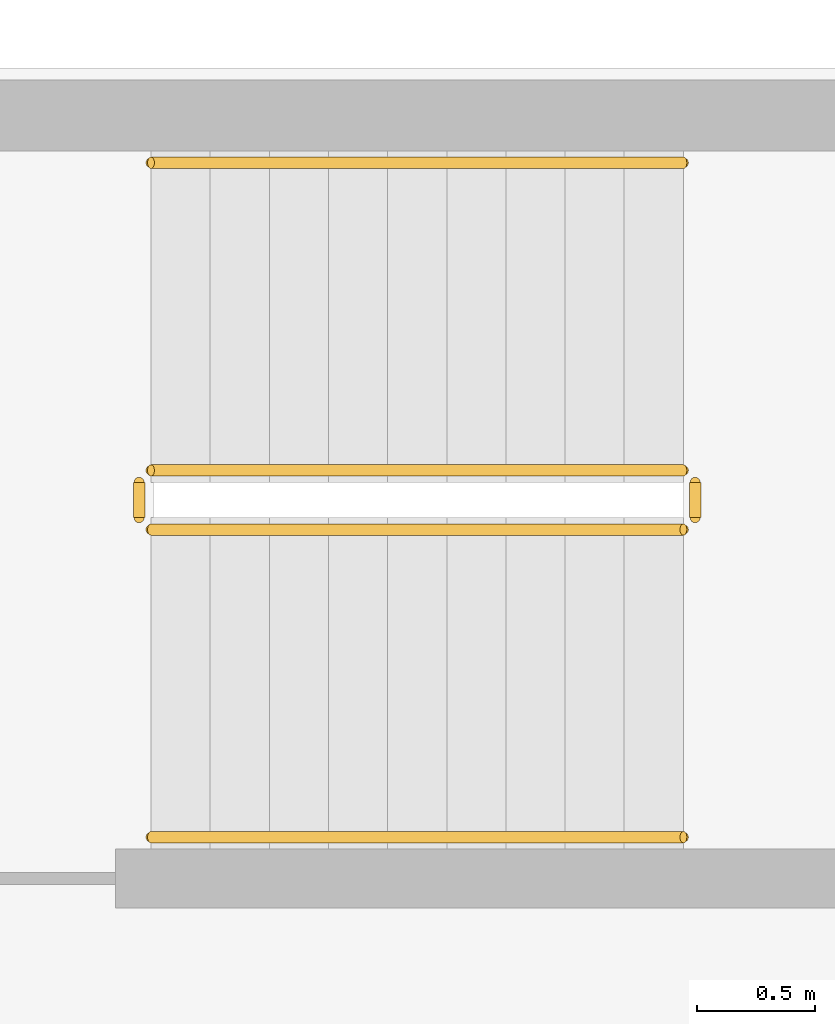
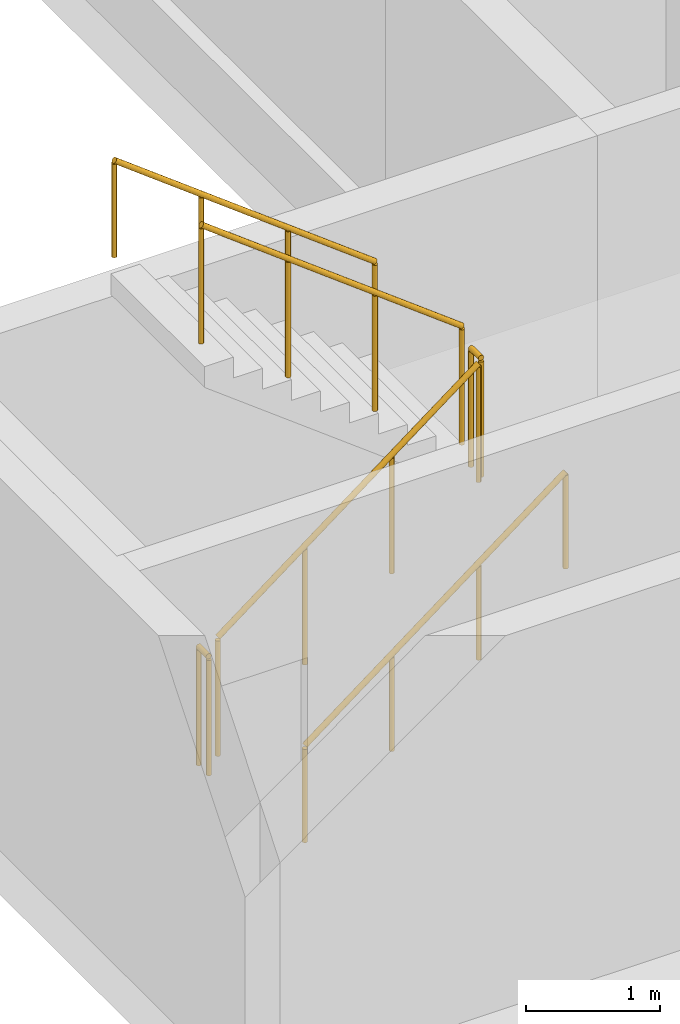
# One storey, part 11 of 11: 6 railings.
"""IFC4 building model written with IfcOpenShell, lengths in metres."""

from ifc_helpers import new_model, si_unit, direction, frame, origin, origin_2d, place, context, subcontext, project, spatial, circle, extrude, source, transform, mapped, material, type_object, element, save


model = new_model("IFC4")

# Units and contexts
model_context = context("Model", 3, precision=1e-05, world=origin(), true_north=direction((0.0, 1.0)))
body_context = subcontext(model_context, "Body", "Model", "MODEL_VIEW")
ifc_project = project(units=[si_unit("LENGTHUNIT", "METRE"), si_unit("AREAUNIT", "SQUARE_METRE"), si_unit("VOLUMEUNIT", "CUBIC_METRE"), si_unit("PLANEANGLEUNIT", "RADIAN"), si_unit("MASSUNIT", "GRAM", prefix="KILO")], contexts=[model_context])

# Site, building, storey
site_placement = place(None, origin())
site = spatial("IfcSite", under=ifc_project, at=site_placement, CompositionType="ELEMENT")
building_placement = place(site_placement, origin())
building = spatial("IfcBuilding", under=site, at=building_placement, Name="Aurelian Terraces", CompositionType="ELEMENT")
storey_placement = place(building_placement, frame((0.0, 0.0, 227.2)))
storey = spatial("IfcBuildingStorey", under=building, at=storey_placement, Name="L51", CompositionType="ELEMENT", Elevation=227.2)

# Railings
ifc_material = material(Name="Stainless steel", Category="steel")
railing_type_1 = type_object("IfcRailingType", Name="Stair guard 1100", PredefinedType="GUARDRAIL", material=ifc_material)
shared_shape_1 = source(origin(), body_context, "Body", "SweptSolid", [
    extrude(circle(Radius=0.024, at=origin_2d()), frame((0.0, 0.0, 1.076), z_axis=(0.0, 1.0, 0.0), x_axis=(-1.0, 0.0, 0.0)), (0.0, 0.0, 1.0), 0.15),
    extrude(circle(Radius=0.021, at=origin_2d()), origin(), (0.0, 0.0, 1.0), 1.052),
    extrude(circle(Radius=0.021, at=origin_2d()), frame((0.0, 0.15, 0.0)), (0.0, 0.0, 1.0), 1.052),
])
for number, where, name in (
    (1, (4.4, 42.05, 1.9), "L51 S3 stair guard 2"),
    (2, (2.05, 42.05, 0.0), "L51 S3 stair guard 4"),
):
    element("IfcRailing", number, at=place(storey_placement, frame(where)), inside=storey, type_object=railing_type_1, Name=name, PredefinedType="GUARDRAIL", context=body_context, shape_type="MappedRepresentation", body=[
        mapped(shared_shape_1, transform((0.0, 0.0, 0.0), scale=1.0)),
    ])
shared_shape_2 = source(origin(), body_context, "Body", "SweptSolid", [
    extrude(circle(Radius=0.024, at=origin_2d()), frame((0.0, 0.0, 1.076), z_axis=(0.796162194123, 0.0, 0.605083267534), x_axis=(0.0, 1.0, 0.0)), (0.0, 0.0, 1.0), 2.8261),
    extrude(circle(Radius=0.021, at=origin_2d()), origin(), (0.0, 0.0, 1.0), 1.052),
    extrude(circle(Radius=0.021, at=origin_2d()), frame((0.75, 0.0, 0.57)), (0.0, 0.0, 1.0), 1.052),
    extrude(circle(Radius=0.021, at=origin_2d()), frame((1.5, 0.0, 1.14)), (0.0, 0.0, 1.0), 1.052),
    extrude(circle(Radius=0.021, at=origin_2d()), frame((2.25, 0.0, 1.71)), (0.0, 0.0, 1.0), 1.052),
])
railing_1_placement = place(storey_placement, frame((2.1, 42.0, 0.19)))
element("IfcRailing", 3, at=railing_1_placement, inside=storey, type_object=railing_type_1, Name="L51 S3 stair guard 1", PredefinedType="GUARDRAIL", context=body_context, shape_type="MappedRepresentation", body=[
    mapped(shared_shape_2, transform((0.0, 0.0, 0.0), scale=1.0)),
])
shared_shape_3 = source(origin(), body_context, "Body", "SweptSolid", [
    extrude(circle(Radius=0.024, at=origin_2d()), frame((0.0, 0.0, 1.076), z_axis=(-0.796162194123, 0.0, 0.605083267534), x_axis=(0.0, -1.0, 0.0)), (0.0, 0.0, 1.0), 2.8261),
    extrude(circle(Radius=0.021, at=origin_2d()), origin(), (0.0, 0.0, 1.0), 1.052),
    extrude(circle(Radius=0.021, at=origin_2d()), frame((-0.75, 0.0, 0.57)), (0.0, 0.0, 1.0), 1.052),
    extrude(circle(Radius=0.021, at=origin_2d()), frame((-1.5, 0.0, 1.14)), (0.0, 0.0, 1.0), 1.052),
    extrude(circle(Radius=0.021, at=origin_2d()), frame((-2.25, 0.0, 1.71)), (0.0, 0.0, 1.0), 1.052),
])
railing_2_placement = place(storey_placement, frame((4.35, 42.25, 2.09)))
element("IfcRailing", 4, at=railing_2_placement, inside=storey, type_object=railing_type_1, Name="L51 S3 stair guard 3", PredefinedType="GUARDRAIL", context=body_context, shape_type="MappedRepresentation", body=[
    mapped(shared_shape_3, transform((0.0, 0.0, 0.0), scale=1.0)),
])
railing_type_2 = type_object("IfcRailingType", Name="Stair handrail", PredefinedType="HANDRAIL", material=ifc_material)
shared_shape_4 = source(origin(), body_context, "Body", "SweptSolid", [
    extrude(circle(Radius=0.024, at=origin_2d()), frame((0.0, 0.0, 0.876), z_axis=(0.796162194123, 0.0, 0.605083267534), x_axis=(0.0, 1.0, 0.0)), (0.0, 0.0, 1.0), 2.8261),
    extrude(circle(Radius=0.021, at=origin_2d()), origin(), (0.0, 0.0, 1.0), 0.852),
    extrude(circle(Radius=0.021, at=origin_2d()), frame((0.75, 0.0, 0.57)), (0.0, 0.0, 1.0), 0.852),
    extrude(circle(Radius=0.021, at=origin_2d()), frame((1.5, 0.0, 1.14)), (0.0, 0.0, 1.0), 0.852),
    extrude(circle(Radius=0.021, at=origin_2d()), frame((2.25, 0.0, 1.71)), (0.0, 0.0, 1.0), 0.852),
])
railing_3_placement = place(storey_placement, frame((2.1, 40.7, 0.19)))
element("IfcRailing", 5, at=railing_3_placement, inside=storey, type_object=railing_type_2, Name="L51 S3 stair handrail 1", PredefinedType="HANDRAIL", context=body_context, shape_type="MappedRepresentation", body=[
    mapped(shared_shape_4, transform((0.0, 0.0, 0.0), scale=1.0)),
])
shared_shape_5 = source(origin(), body_context, "Body", "SweptSolid", [
    extrude(circle(Radius=0.024, at=origin_2d()), frame((0.0, 0.0, 0.876), z_axis=(-0.796162194123, 0.0, 0.605083267534), x_axis=(0.0, -1.0, 0.0)), (0.0, 0.0, 1.0), 2.8261),
    extrude(circle(Radius=0.021, at=origin_2d()), origin(), (0.0, 0.0, 1.0), 0.852),
    extrude(circle(Radius=0.021, at=origin_2d()), frame((-0.75, 0.0, 0.57)), (0.0, 0.0, 1.0), 0.852),
    extrude(circle(Radius=0.021, at=origin_2d()), frame((-1.5, 0.0, 1.14)), (0.0, 0.0, 1.0), 0.852),
    extrude(circle(Radius=0.021, at=origin_2d()), frame((-2.25, 0.0, 1.71)), (0.0, 0.0, 1.0), 0.852),
])
railing_4_placement = place(storey_placement, frame((4.35, 43.55, 2.09)))
element("IfcRailing", 6, at=railing_4_placement, inside=storey, type_object=railing_type_2, Name="L51 S3 stair handrail 2", PredefinedType="HANDRAIL", context=body_context, shape_type="MappedRepresentation", body=[
    mapped(shared_shape_5, transform((0.0, 0.0, 0.0), scale=1.0)),
])

save(model, "model.ifc")
